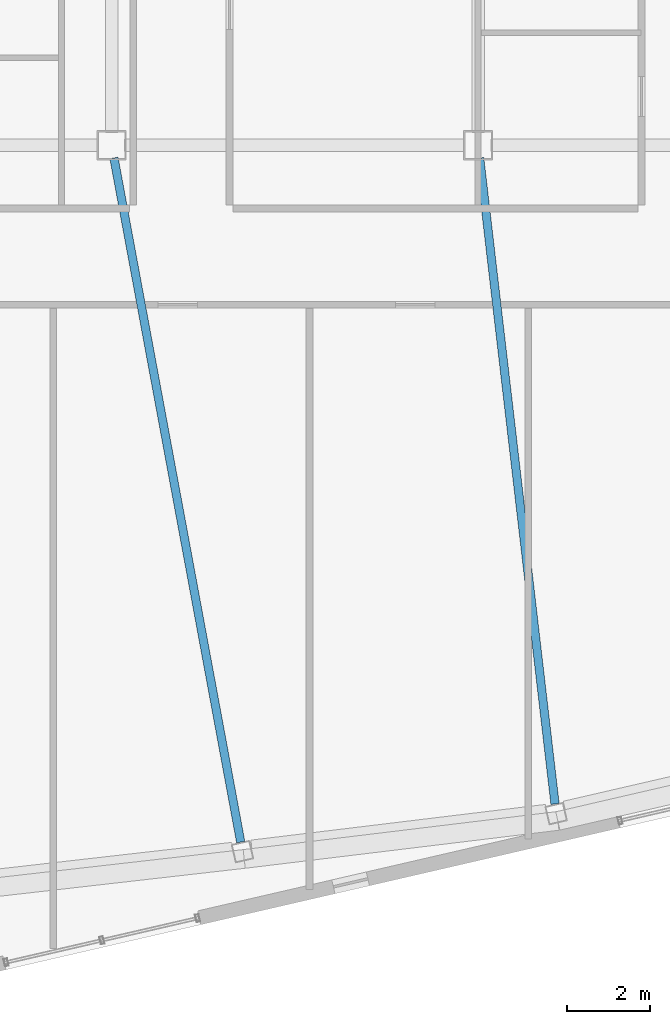
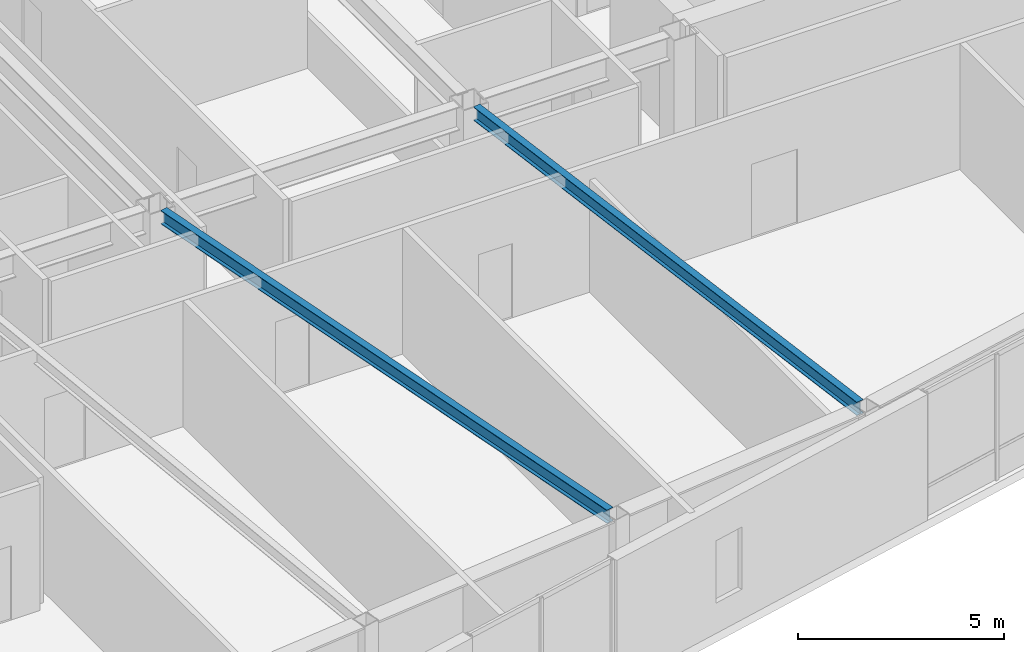
# One storey, part 9 of 23: 2 beams.
"""IFC4 building model written with IfcOpenShell, lengths in metres."""

from ifc_helpers import new_model, si_unit, direction, frame, origin, origin_2d, place, context, subcontext, project, spatial, i_section, extrude, material, material_profile, profile_set, type_object, element, save


model = new_model("IFC4")

# Units and contexts
model_context = context("Model", 3, precision=1e-05, world=origin(), true_north=direction((0.0, 1.0)))
body_context = subcontext(model_context, "Body", "Model", "MODEL_VIEW")
ifc_project = project(units=[si_unit("LENGTHUNIT", "METRE"), si_unit("AREAUNIT", "SQUARE_METRE"), si_unit("VOLUMEUNIT", "CUBIC_METRE"), si_unit("PLANEANGLEUNIT", "RADIAN"), si_unit("MASSUNIT", "GRAM", prefix="KILO")], contexts=[model_context])

# Site, building, storey
site_placement = place(None, origin())
site = spatial("IfcSite", under=ifc_project, at=site_placement, CompositionType="ELEMENT")
building_placement = place(site_placement, origin())
building = spatial("IfcBuilding", under=site, at=building_placement, Name="Tavrogorsk Clinical Tower", CompositionType="ELEMENT")
storey_placement = place(building_placement, frame((0.0, 0.0, 305.0)))
storey = spatial("IfcBuildingStorey", under=building, at=storey_placement, Name="L71", CompositionType="ELEMENT", Elevation=305.0)

# Beams
ifc_material = material(Name="Structural steel S355", Category="steel")
ifc_material_profile = material_profile(ifc_material, i_section(OverallWidth=0.199951171875, OverallDepth=0.39990234375, WebThickness=0.010498046875, FlangeThickness=0.01611328125, at=origin_2d()), Name="B-400x200x10.5x16")
ifc_profile_set = profile_set([ifc_material_profile], Name="Structural steel S355")
beam_type = type_object("IfcBeamType", Name="FloorBeam_B400", PredefinedType="BEAM", material=ifc_profile_set)
beam_1_placement = place(storey_placement, frame((-4.343505859375, -6.65478515625, 3.5400390625), z_axis=(0.182181887688, -0.98326484723, 0.0), x_axis=(0.98326484723, 0.182181887688, 0.0)))
element("IfcBeam", 1, at=beam_1_placement, inside=storey, type_object=beam_type, Name="L71 Radial Floor Beam S4", PredefinedType="BEAM", context=body_context, shape_type="SweptSolid", body=[
    extrude(i_section(OverallWidth=0.199951171875, OverallDepth=0.39990234375, WebThickness=0.010498046875, FlangeThickness=0.01611328125, at=origin_2d()), origin(), (0.0, 0.0, 1.0), 16.70556640625),
])
beam_2_placement = place(storey_placement, frame((4.43603515625, -6.657958984375, 3.5400390625), z_axis=(0.115903069025, -0.993260529061, 0.0), x_axis=(0.993260529061, 0.115903069025, 0.0)))
element("IfcBeam", 2, at=beam_2_placement, inside=storey, type_object=beam_type, Name="L71 Radial Floor Beam S5", PredefinedType="BEAM", context=body_context, shape_type="SweptSolid", body=[
    extrude(i_section(OverallWidth=0.199951171875, OverallDepth=0.39990234375, WebThickness=0.010498046875, FlangeThickness=0.01611328125, at=origin_2d()), origin(), (0.0, 0.0, 1.0), 15.61279296875),
])

save(model, "model.ifc")
